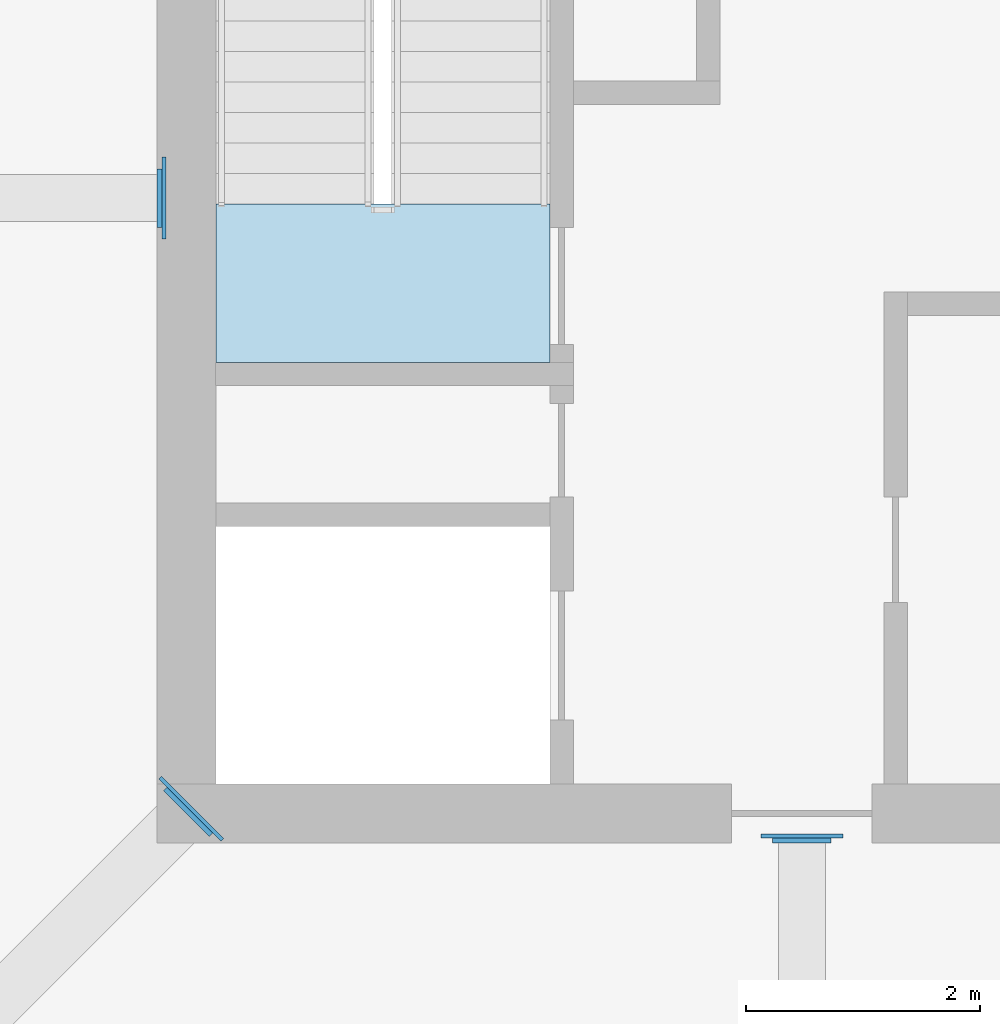
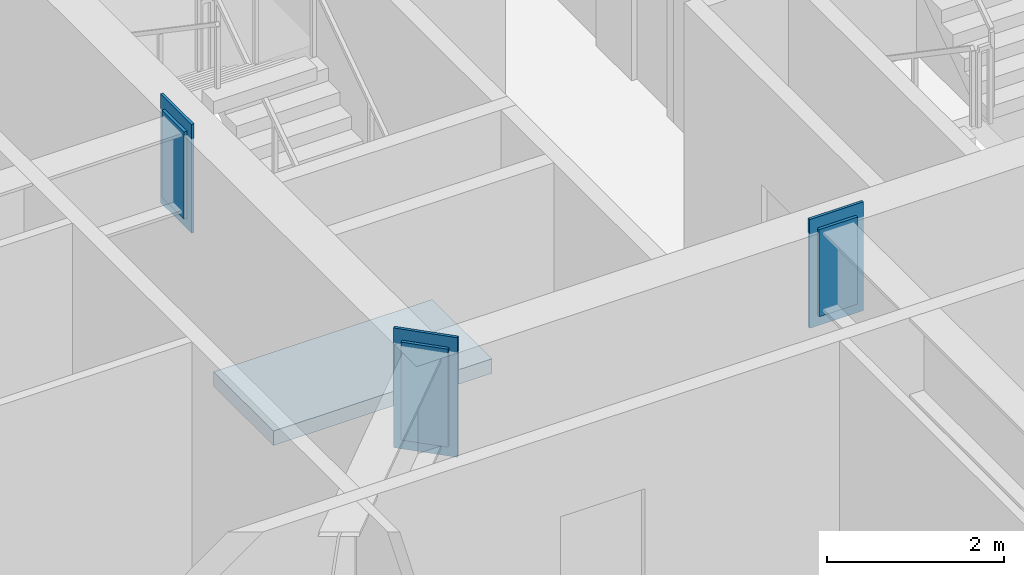
# One storey, part 2 of 12: 6 plates, 1 slab, 1 element without a shape of its own.
"""IFC4 building model written with IfcOpenShell, lengths in metres."""

from ifc_helpers import new_model, si_unit, direction, frame, origin, origin_2d, place, context, subcontext, project, spatial, polyline, rectangle, outline, extrude, material, layer, layer_set, type_object, element, aggregate, save


model = new_model("IFC4")

# Units and contexts
model_context = context("Model", 3, precision=1e-05, world=origin(), true_north=direction((0.0, 1.0)))
body_context = subcontext(model_context, "Body", "Model", "MODEL_VIEW")
ifc_project = project(units=[si_unit("LENGTHUNIT", "METRE"), si_unit("AREAUNIT", "SQUARE_METRE"), si_unit("VOLUMEUNIT", "CUBIC_METRE"), si_unit("PLANEANGLEUNIT", "RADIAN"), si_unit("MASSUNIT", "GRAM", prefix="KILO")], contexts=[model_context])

# Site, building, storey
site_placement = place(None, origin())
site = spatial("IfcSite", under=ifc_project, at=site_placement, CompositionType="ELEMENT")
building_placement = place(site_placement, origin())
building = spatial("IfcBuilding", under=site, at=building_placement, Name="Khepri Terraces", CompositionType="ELEMENT")
storey_placement = place(building_placement, frame((0.0, 0.0, 296.699951171875)))
storey = spatial("IfcBuildingStorey", under=building, at=storey_placement, Name="L71", CompositionType="ELEMENT", Elevation=296.699951171875)

# Plates
ifc_material_1 = material(Name="Steel S355", Category="steel")
ifc_layer_1 = layer(ifc_material_1, 0.034912109375, Name="Steel S355", Category="steel")
ifc_layer_set_1 = layer_set([ifc_layer_1], Name="Steel S355")
plate_type_1 = type_object("IfcPlateType", Name="Cast-in plate 1500x700x35", PredefinedType="USERDEFINED", material=ifc_layer_set_1)
for number, where, z_axis, x_axis, name in (
    (1, (0.0, -5.4423828125, 2.25), (0.0, 0.0, 1.0), (0.0, -1.0, 0.0), "CAST-IN PLATE CG-L71-S MID wall A"),
    (2, (-5.4423828125, 0.0, 2.25), (0.0, 0.0, 1.0), (-1.0, 0.0, 0.0), "CAST-IN PLATE CG-L71-W MID wall A"),
):
    element("IfcPlate", number, at=place(storey_placement, frame(where, z_axis=z_axis, x_axis=x_axis)), inside=storey, type_object=plate_type_1, Name=name, ObjectType="CAST-IN PLATE", PredefinedType="USERDEFINED", context=body_context, shape_type="SweptSolid", body=[
        extrude(rectangle(XDim=0.034912109375, YDim=0.699951171875, at=origin_2d()), origin(), (0.0, 0.0, 1.0), 1.5),
    ])
ifc_layer_2 = layer(ifc_material_1, 0.034912109375, Name="Steel S355", Category="steel")
ifc_layer_set_2 = layer_set([ifc_layer_2], Name="Steel S355")
plate_type_2 = type_object("IfcPlateType", Name="Cast-in plate 1650x750x35", PredefinedType="USERDEFINED", material=ifc_layer_set_2)
plate_1_placement = place(storey_placement, frame((-5.209228515625, -5.209228515625, 2.10009765625), z_axis=(0.0, 0.0, 1.0), x_axis=(-0.707106781187, -0.707106781187, 0.0)))
element("IfcPlate", 3, at=plate_1_placement, inside=storey, type_object=plate_type_2, Name="CAST-IN PLATE CG-L71-WS MID wall A", ObjectType="CAST-IN PLATE", PredefinedType="USERDEFINED", context=body_context, shape_type="SweptSolid", body=[
    extrude(rectangle(XDim=0.034912109375, YDim=0.75, at=origin_2d()), origin(), (0.0, 0.0, 1.0), 1.64990234375),
])
ifc_layer_3 = layer(ifc_material_1, 0.0400390625, Name="Steel S355", Category="steel")
ifc_layer_set_3 = layer_set([ifc_layer_3], Name="Steel S355")
plate_type_3 = type_object("IfcPlateType", Name="End plate 1200x500x40", PredefinedType="USERDEFINED", material=ifc_layer_set_3)
for number, where, z_axis, x_axis, name in (
    (4, (0.0, -5.47998046875, 2.39990234375), (0.0, 0.0, 1.0), (0.0, -1.0, 0.0), "END PLATE CG-L71-S MID end A"),
    (5, (-5.47998046875, 0.0, 2.39990234375), (0.0, 0.0, 1.0), (-1.0, 0.0, 0.0), "END PLATE CG-L71-W MID end A"),
):
    element("IfcPlate", number, at=place(storey_placement, frame(where, z_axis=z_axis, x_axis=x_axis)), inside=storey, type_object=plate_type_3, Name=name, ObjectType="END PLATE", PredefinedType="USERDEFINED", context=body_context, shape_type="SweptSolid", body=[
        extrude(rectangle(XDim=0.0400390625, YDim=0.5, at=origin_2d()), origin(), (0.0, 0.0, 1.0), 1.199951171875),
    ])
ifc_layer_4 = layer(ifc_material_1, 0.0400390625, Name="Steel S355", Category="steel")
ifc_layer_set_4 = layer_set([ifc_layer_4], Name="Steel S355")
plate_type_4 = type_object("IfcPlateType", Name="End plate 1350x550x40", PredefinedType="USERDEFINED", material=ifc_layer_set_4)
plate_2_placement = place(storey_placement, frame((-5.23583984375, -5.23583984375, 2.25), z_axis=(0.0, 0.0, 1.0), x_axis=(-0.707106781187, -0.707106781187, 0.0)))
element("IfcPlate", 6, at=plate_2_placement, inside=storey, type_object=plate_type_4, Name="END PLATE CG-L71-WS MID end A", ObjectType="END PLATE", PredefinedType="USERDEFINED", context=body_context, shape_type="SweptSolid", body=[
    extrude(rectangle(XDim=0.0400390625, YDim=0.550048828125, at=origin_2d()), origin(), (0.0, 0.0, 1.0), 1.35009765625),
])

# Stair, slab
ifc_material_2 = material(Name="Concrete C40/50", Category="concrete")
stair_type = type_object("IfcStairType", Name="STAIR-RC-22R", PredefinedType="HALF_TURN_STAIR", material=ifc_material_2)
stair_placement = place(storey_placement, origin())
stair = element("IfcStair", 7, at=stair_placement, inside=storey, type_object=stair_type, Name="L71 Exit Stair ST-1", PredefinedType="HALF_TURN_STAIR")
ifc_layer_5 = layer(ifc_material_2, 0.199951171875, Name="Concrete C40/50", Category="concrete")
ifc_layer_set_5 = layer_set([ifc_layer_5], Name="Concrete C40/50")
slab_type = type_object("IfcSlabType", Name="SLB-CORE-LANDING", PredefinedType="LANDING", material=ifc_layer_set_5)
slab_placement = place(storey_placement, frame((0.0, 0.0, -0.199951171875)))
slab = element("IfcSlab", 8, at=slab_placement, type_object=slab_type, Name="ST-1 landing 1", PredefinedType="LANDING", context=body_context, shape_type="SweptSolid", body=[
    extrude(outline(polyline([(-2.14990234375, -1.39990234375), (-2.14990234375, -0.050048828125), (-5.0, -0.050048828125), (-5.0, -1.39990234375), (-2.14990234375, -1.39990234375)])), origin(), (0.0, 0.0, 1.0), 0.199951171875),
])
aggregate(stair, [slab])

save(model, "model.ifc")
